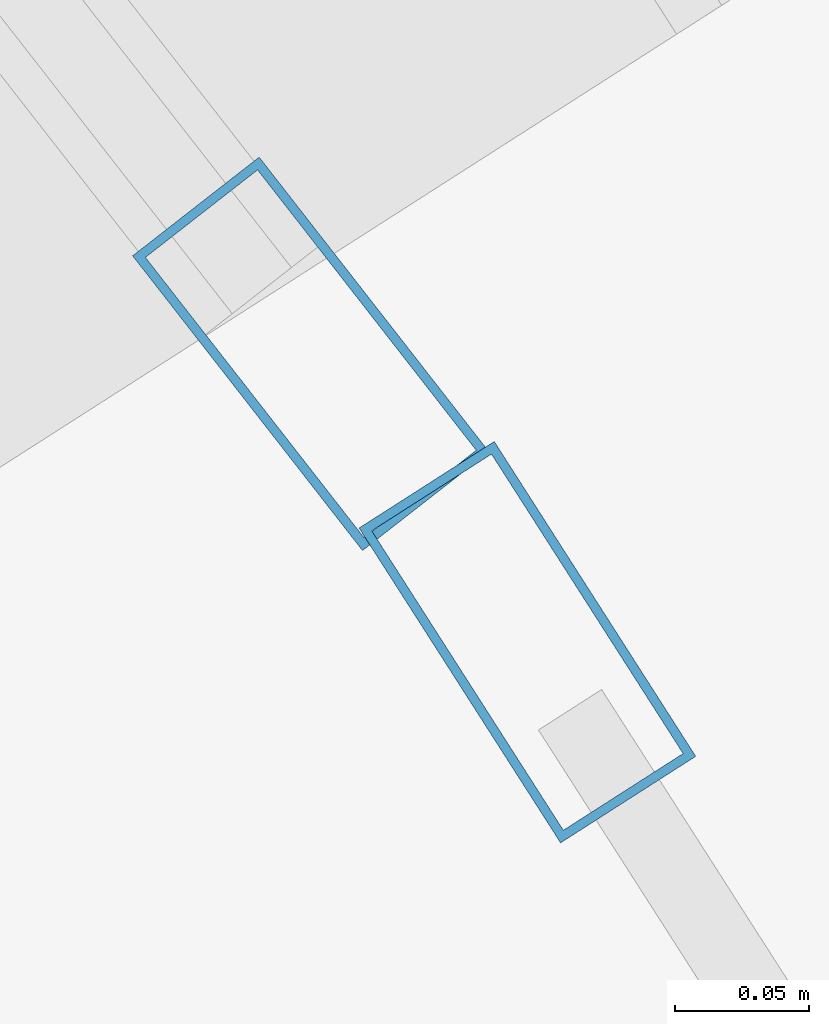
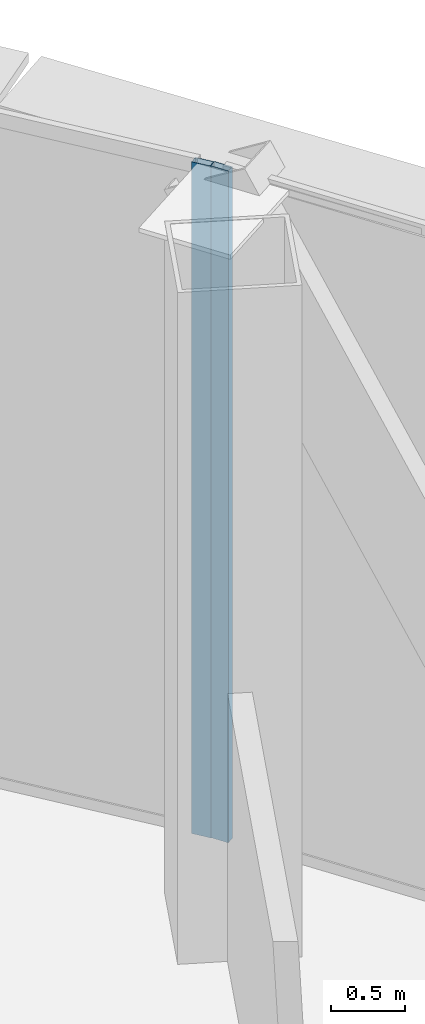
# One storey, part 23 of 38: 2 members, 2 elements without a shape of their own.
"""IFC4 building model written with IfcOpenShell, lengths in metres."""

import ifcopenshell
import ifcopenshell.guid

model = None  # the IFC model being written
_history = None  # IfcOwnerHistory: only IFC2X3 demands one
_inside = {}  # id of a spatial element -> (the spatial element, [elements in it])
_under = {}  # id of a project, library or spatial element -> (it, [spatial elements below it])
_declared = {}  # id of a project -> (the project, [libraries it declares])
_typed = {}  # id of a type object -> (the type object, [elements of that type])
_made_of = {}  # id of a material, layer set ... -> (it, [elements and type objects made of it])


def new_model(schema):
    """Start an empty IFC model of exactly this schema.

    Asked for "IFC4X3", IfcOpenShell would pick the latest addendum, in which some entities
    have other attributes; the version numbers below select the first issue.
    IFC2X3 requires an IfcOwnerHistory on every rooted entity: one is made here for all.
    """
    global model, _history
    if schema == "IFC4X3":
        model = ifcopenshell.file(schema_version=(4, 3, 0, 0))
    else:
        model = ifcopenshell.file(schema=schema)
    _inside.clear()
    _under.clear()
    _declared.clear()
    _typed.clear()
    _made_of.clear()
    _history = None
    if model.schema == "IFC2X3":
        org = make("IfcOrganization", Name="unknown")
        user = make(
            "IfcPersonAndOrganization",
            ThePerson=make("IfcPerson", FamilyName="unknown"),
            TheOrganization=org,
        )
        app = make(
            "IfcApplication",
            ApplicationDeveloper=org,
            Version="unknown",
            ApplicationFullName="unknown",
            ApplicationIdentifier="unknown",
        )
        _history = make(
            "IfcOwnerHistory",
            OwningUser=user,
            OwningApplication=app,
            ChangeAction="ADDED",
            CreationDate=0,
        )
    return model


def make(cls, **values):
    """One entity of the class cls with the attributes given. An attribute that is None is left unset."""
    return model.create_entity(
        cls, **{name: value for name, value in values.items() if value is not None}
    )


def rooted(cls, **values):
    """An entity with a GlobalId (a new one), such as an element, a storey or a relation."""
    return make(cls, GlobalId=ifcopenshell.guid.new(), OwnerHistory=_history, **values)


def si_unit(unit_type, name, prefix=None):
    """IfcSIUnit, for example si_unit("LENGTHUNIT", "METRE", prefix="MILLI")."""
    return make("IfcSIUnit", UnitType=unit_type, Prefix=prefix, Name=name)


def assignment(units):
    """IfcUnitAssignment: the units of a project."""
    return None if units is None else make("IfcUnitAssignment", Units=units)


def point(xyz):
    """IfcCartesianPoint."""
    return None if xyz is None else make("IfcCartesianPoint", Coordinates=xyz)


def direction(xyz):
    """IfcDirection."""
    return None if xyz is None else make("IfcDirection", DirectionRatios=xyz)


def frame(location, z_axis=None, x_axis=None):
    """IfcAxis2Placement3D, a coordinate frame: its origin and axes. An axis left out is left unset."""
    return make(
        "IfcAxis2Placement3D",
        Location=point(location),
        Axis=direction(z_axis),
        RefDirection=direction(x_axis),
    )


def frame_2d(location, x_axis=None):
    """IfcAxis2Placement2D, a coordinate frame in the plane: its origin and x axis."""
    return make(
        "IfcAxis2Placement2D", Location=point(location), RefDirection=direction(x_axis)
    )


def origin():
    """The frame at (0, 0, 0) with its axes left unset."""
    return frame((0.0, 0.0, 0.0))


def origin_2d():
    """The frame at (0, 0) in the plane with its x axis left unset."""
    return frame_2d((0.0, 0.0))


def place(relative_to, where):
    """IfcLocalPlacement: puts the frame where relative to a parent placement (None: the world)."""
    return make(
        "IfcLocalPlacement", PlacementRelTo=relative_to, RelativePlacement=where
    )


def context(
    kind, dimensions, precision=None, world=None, true_north=None, identifier=None
):
    """IfcGeometricRepresentationContext, for example the 3D "Model" context."""
    return make(
        "IfcGeometricRepresentationContext",
        ContextIdentifier=identifier,
        ContextType=kind,
        CoordinateSpaceDimension=dimensions,
        Precision=precision,
        WorldCoordinateSystem=world,
        TrueNorth=true_north,
    )


def subcontext(parent, identifier, kind, view, scale=None):
    """IfcGeometricRepresentationSubContext, for example "Body" below "Model"."""
    return make(
        "IfcGeometricRepresentationSubContext",
        ContextIdentifier=identifier,
        ContextType=kind,
        ParentContext=parent,
        TargetScale=scale,
        TargetView=view,
    )


def project(units=None, contexts=None):
    """IfcProject with its units and contexts."""
    return rooted(
        "IfcProject",
        Name="project",
        RepresentationContexts=contexts,
        UnitsInContext=assignment(units),
    )


def spatial(cls, under=None, at=None, **own):
    """A site, building, storey or space (cls), placed at a placement, below another one or the project."""
    s = rooted(cls, ObjectPlacement=at, **own)
    if under is not None:
        _under.setdefault(under.id(), (under, []))[1].append(s)
    return s


def profile(cls, at=None, kind="AREA", **sizes):
    """A parametric profile (cls). Its sizes go by their IFC names, for example OverallWidth=200.0."""
    return make(cls, ProfileType=kind, Position=at, **sizes)


def hollow_rectangle(**sizes):
    """IfcRectangleHollowProfileDef."""
    return profile("IfcRectangleHollowProfileDef", **sizes)


def extrude(swept, where, along, depth):
    """IfcExtrudedAreaSolid: the profile swept, set in the frame where, extruded along a direction by depth."""
    return make(
        "IfcExtrudedAreaSolid",
        SweptArea=swept,
        Position=where,
        ExtrudedDirection=direction(along),
        Depth=depth,
    )


def shape(context_of_items, identifier, shape_type, items):
    """IfcShapeRepresentation: the items that make up one representation, for example the "Body"."""
    return make(
        "IfcShapeRepresentation",
        ContextOfItems=context_of_items,
        RepresentationIdentifier=identifier,
        RepresentationType=shape_type,
        Items=items,
    )


def source(mapping_origin, context_of_items, identifier, shape_type, items):
    """IfcRepresentationMap: a shape defined once, which mapped items show again and again."""
    return make(
        "IfcRepresentationMap",
        MappingOrigin=mapping_origin,
        MappedRepresentation=shape(context_of_items, identifier, shape_type, items),
    )


def transform(
    local_origin,
    x_axis=None,
    y_axis=None,
    z_axis=None,
    scale=None,
    scale2=None,
    scale3=None,
    uniform=True,
):
    """IfcCartesianTransformationOperator3D, or its non-uniform kind. x_axis, y_axis, z_axis: its Axis1, 2, 3."""
    if uniform:
        return make(
            "IfcCartesianTransformationOperator3D",
            Axis1=direction(x_axis),
            Axis2=direction(y_axis),
            LocalOrigin=point(local_origin),
            Scale=scale,
            Axis3=direction(z_axis),
        )
    return make(
        "IfcCartesianTransformationOperator3DnonUniform",
        Axis1=direction(x_axis),
        Axis2=direction(y_axis),
        LocalOrigin=point(local_origin),
        Scale=scale,
        Axis3=direction(z_axis),
        Scale2=scale2,
        Scale3=scale3,
    )


def mapped(mapping_source, mapping_target):
    """IfcMappedItem: shows the shape of a source again, moved by a transform."""
    return make(
        "IfcMappedItem", MappingSource=mapping_source, MappingTarget=mapping_target
    )


def material(Name=None, Category=None):
    """IfcMaterial."""
    return make("IfcMaterial", Name=Name, Category=Category)


def layer(
    of_material, thickness, ventilated=None, Name=None, Category=None, Priority=None
):
    """IfcMaterialLayer: one layer of a wall or slab, of a material (None: an air gap)."""
    return make(
        "IfcMaterialLayer",
        Material=of_material,
        LayerThickness=thickness,
        IsVentilated=ventilated,
        Name=Name,
        Category=Category,
        Priority=Priority,
    )


def layer_set(layers, Name=None):
    """IfcMaterialLayerSet."""
    return make("IfcMaterialLayerSet", MaterialLayers=layers, LayerSetName=Name)


def material_profile(
    of_material, cross_section, Name=None, Category=None, Priority=None
):
    """IfcMaterialProfile: a cross section and its material."""
    return make(
        "IfcMaterialProfile",
        Name=Name,
        Material=of_material,
        Profile=cross_section,
        Priority=Priority,
        Category=Category,
    )


def profile_set(profiles, Name=None, composite=None):
    """IfcMaterialProfileSet."""
    return make(
        "IfcMaterialProfileSet",
        Name=Name,
        MaterialProfiles=profiles,
        CompositeProfile=composite,
    )


def made_of(thing, what):
    """Note that an element or type object is made of a material, layer set ...; save() writes the relation."""
    if what is not None:
        _made_of.setdefault(what.id(), (what, []))[1].append(thing)
    return thing


def type_object(cls, material=None, **own):
    """A type object (cls), such as IfcWallType, which elements share."""
    return made_of(rooted(cls, **own), material)


def element(
    cls,
    number,
    at=None,
    inside=None,
    cuts=None,
    type_object=None,
    material=None,
    context=None,
    identifier="Body",
    shape_type=None,
    held_by="IfcProductDefinitionShape",
    body=None,
    shapes=None,
    **own,
):
    """One element of the class cls, such as IfcWall. Its Tag is "e" and its number.

    at: its placement. inside: the storey or other place that contains it. cuts: it is an
    opening in that element (IfcRelVoidsElement). A single representation is given by context,
    identifier, shape_type and body (its items); several are given by shapes. held_by: the class
    of the entity that holds the representations. save() writes the other relations.
    """
    e = rooted(cls, Tag="e%d" % number, ObjectPlacement=at, **own)
    if body is not None:
        shapes = [shape(context, identifier, shape_type, body)]
    if shapes is not None:
        e.Representation = make(held_by, Representations=shapes)
    if inside is not None:
        _inside.setdefault(inside.id(), (inside, []))[1].append(e)
    if cuts is not None:
        rooted(
            "IfcRelVoidsElement", RelatingBuildingElement=cuts, RelatedOpeningElement=e
        )
    if type_object is not None:
        _typed.setdefault(type_object.id(), (type_object, []))[1].append(e)
    return made_of(e, material)


def aggregate(whole, parts):
    """IfcRelAggregates: a whole, such as a stair, and the parts it consists of."""
    return rooted("IfcRelAggregates", RelatingObject=whole, RelatedObjects=parts)


def save(model, path):
    """Write the relations noted so far, then the file.

    IfcRelAggregates (storeys below a building ...), IfcRelContainedInSpatialStructure (elements
    in a storey), IfcRelDefinesByType, IfcRelAssociatesMaterial and IfcRelDeclares: one each for
    every whole, place, type object, material and project.
    """
    for whole, parts in _under.values():
        aggregate(whole, parts)
    for where, things in _inside.values():
        rooted(
            "IfcRelContainedInSpatialStructure",
            RelatedElements=things,
            RelatingStructure=where,
        )
    for kind, things in _typed.values():
        rooted("IfcRelDefinesByType", RelatedObjects=things, RelatingType=kind)
    for what, things in _made_of.values():
        rooted("IfcRelAssociatesMaterial", RelatedObjects=things, RelatingMaterial=what)
    for by, libraries in _declared.values():
        rooted("IfcRelDeclares", RelatingContext=by, RelatedDefinitions=libraries)
    model.write(path)


model = new_model("IFC4")

# Units and contexts
model_context = context("Model", 3, precision=1e-05, world=origin(), true_north=direction((0.0, 1.0)))
body_context = subcontext(model_context, "Body", "Model", "MODEL_VIEW")
ifc_project = project(units=[si_unit("LENGTHUNIT", "METRE"), si_unit("AREAUNIT", "SQUARE_METRE"), si_unit("VOLUMEUNIT", "CUBIC_METRE"), si_unit("PLANEANGLEUNIT", "RADIAN"), si_unit("MASSUNIT", "GRAM", prefix="KILO"), si_unit("THERMODYNAMICTEMPERATUREUNIT", "KELVIN"), si_unit("POWERUNIT", "WATT")], contexts=[model_context])

# Site, building, storey
site_placement = place(None, origin())
site = spatial("IfcSite", under=ifc_project, at=site_placement, CompositionType="ELEMENT")
building_placement = place(site_placement, origin())
building = spatial("IfcBuilding", under=site, at=building_placement, Name="Yunzhuo Pagoda Commons", CompositionType="ELEMENT")
storey_placement = place(building_placement, frame((0.0, 0.0, 266.909912109375)))
storey = spatial("IfcBuildingStorey", under=building, at=storey_placement, Name="L67", CompositionType="ELEMENT", Elevation=266.909912109375)

# Curtain wall, member
ifc_material = material(Name="Anodized aluminium 6063-T6", Category="aluminium")
ifc_layer = layer(ifc_material, 0.139892578125)
ifc_layer_set = layer_set([ifc_layer], Name="Anodized aluminium 6063-T6")
curtain_wall_type = type_object("IfcCurtainWallType", Name="CW-HI High-Zone Ribbon Curtain Wall", PredefinedType="NOTDEFINED", material=ifc_layer_set)
curtain_wall_1_placement = place(storey_placement, origin())
curtain_wall_1 = element("IfcCurtainWall", 1, at=curtain_wall_1_placement, inside=storey, type_object=curtain_wall_type, Name="L67 curtain wall CW-L67-F2B4", PredefinedType="NOTDEFINED")
ifc_material_profile = material_profile(ifc_material, hollow_rectangle(XDim=0.06005859375, YDim=0.139892578125, WallThickness=0.00341796875, at=origin_2d()), Name="Anodized aluminium 6063-T6")
ifc_profile_set = profile_set([ifc_material_profile], Name="Anodized aluminium 6063-T6")
member_type = type_object("IfcMemberType", Name="CW-HI-M Mullion RHS 140x60x3.5", PredefinedType="MULLION", material=ifc_profile_set)
shared_shape = source(origin(), body_context, "Body", "SweptSolid", [
    extrude(hollow_rectangle(XDim=0.06005859375, YDim=0.139892578125, WallThickness=0.00341796875, at=origin_2d()), origin(), (0.0, 0.0, 1.0), 5.5703125),
])
member_1_placement = place(storey_placement, frame((61.85009765625, 64.745849609375, 0.0), z_axis=(0.0, 0.0, 1.0), x_axis=(-0.842255727545, -0.539078184884, 0.0)))
member_1 = element("IfcMember", 2, at=member_1_placement, type_object=member_type, Name="CW mullion 2", PredefinedType="MULLION", context=body_context, shape_type="MappedRepresentation", body=[
    mapped(shared_shape, transform((0.0, 0.0, 0.0), scale=1.0)),
])
aggregate(curtain_wall_1, [member_1])

curtain_wall_2_placement = place(storey_placement, origin())
curtain_wall_2 = element("IfcCurtainWall", 3, at=curtain_wall_2_placement, inside=storey, type_object=curtain_wall_type, Name="L67 curtain wall CW-L67-F2B5", PredefinedType="NOTDEFINED")
member_2_placement = place(storey_placement, frame((61.76904296875, 64.853759765625, 0.0), z_axis=(0.0, 0.0, 1.0), x_axis=(-0.788480008462, -0.615060384235, 0.0)))
member_2 = element("IfcMember", 4, at=member_2_placement, type_object=member_type, Name="CW mullion 1", PredefinedType="MULLION", context=body_context, shape_type="MappedRepresentation", body=[
    mapped(shared_shape, transform((0.0, 0.0, 0.0), scale=1.0)),
])
aggregate(curtain_wall_2, [member_2])

save(model, "model.ifc")
